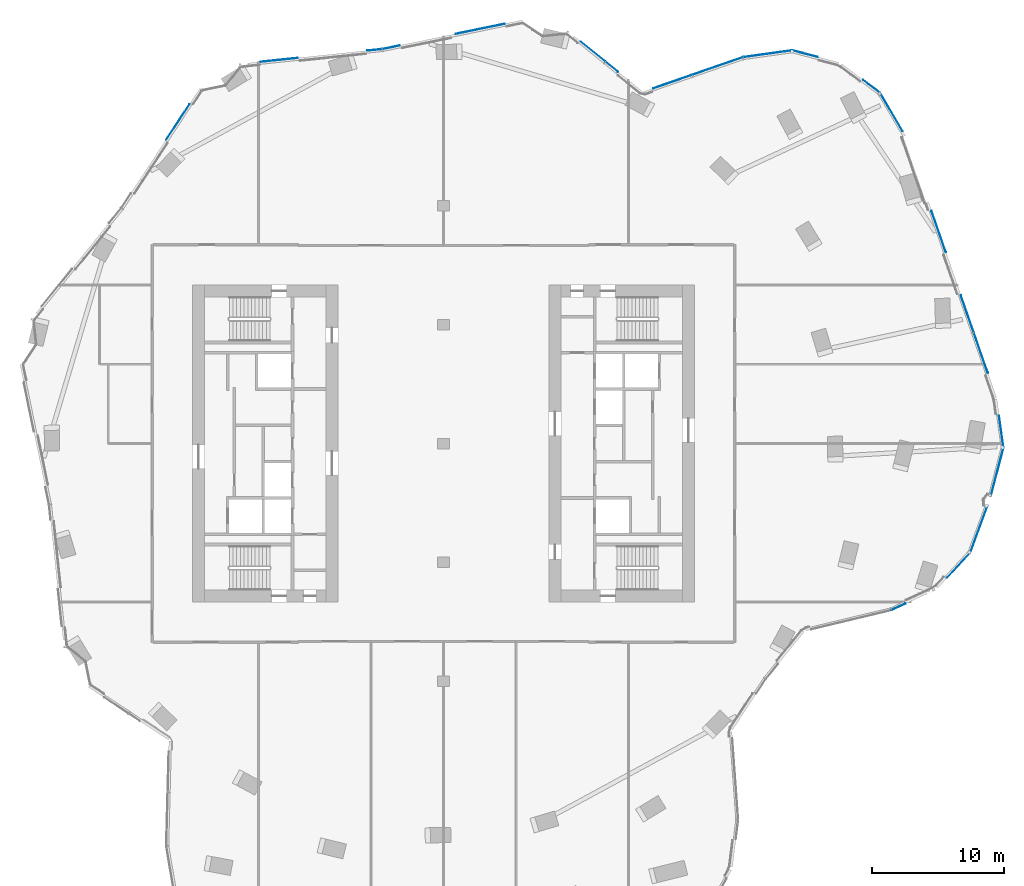
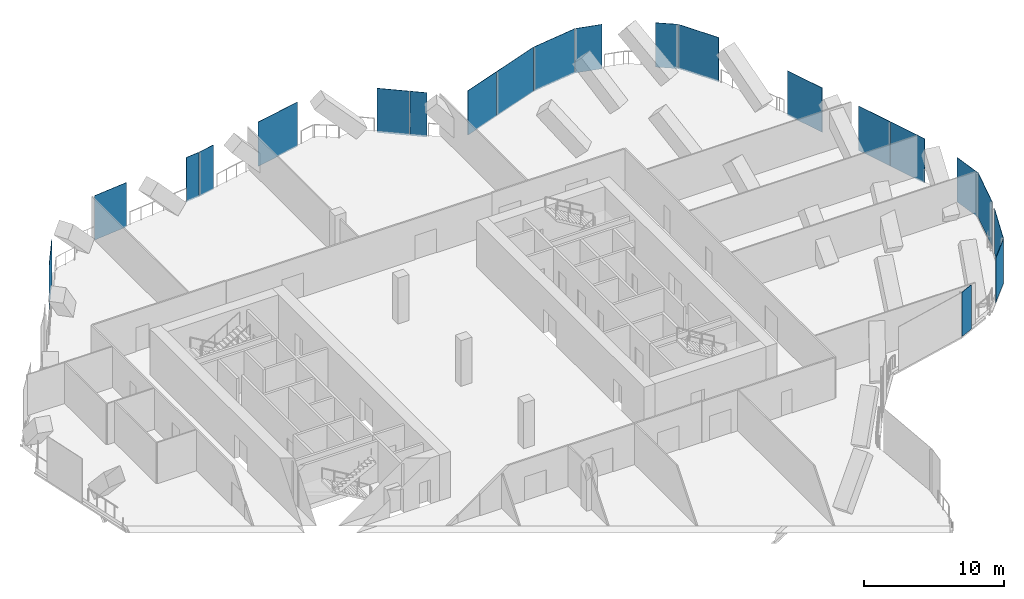
# One storey, part 18 of 26: 21 plates, 15 elements without a shape of their own.
"""IFC4 building model written with IfcOpenShell, lengths in metres."""

from ifc_helpers import new_model, si_unit, direction, frame, origin, origin_2d, place, context, subcontext, project, spatial, rectangle, extrude, material, layer, layer_set, type_object, element, aggregate, save


model = new_model("IFC4")

# Units and contexts
model_context = context("Model", 3, precision=1e-05, world=origin(), true_north=direction((0.0, 1.0)))
body_context = subcontext(model_context, "Body", "Model", "MODEL_VIEW")
ifc_project = project(units=[si_unit("LENGTHUNIT", "METRE"), si_unit("AREAUNIT", "SQUARE_METRE"), si_unit("VOLUMEUNIT", "CUBIC_METRE"), si_unit("PLANEANGLEUNIT", "RADIAN"), si_unit("MASSUNIT", "GRAM", prefix="KILO")], contexts=[model_context])

# Site, building, storey
site_placement = place(None, origin())
site = spatial("IfcSite", under=ifc_project, at=site_placement, CompositionType="ELEMENT")
building_placement = place(site_placement, origin())
building = spatial("IfcBuilding", under=site, at=building_placement, Name="Orlundy Tower", CompositionType="ELEMENT")
storey_placement = place(building_placement, frame((0.0, 0.0, 228.0)))
storey = spatial("IfcBuildingStorey", under=building, at=storey_placement, Name="L60", CompositionType="ELEMENT", Elevation=228.0)

# Curtain wall, plate
ifc_material_1 = material(Name="Aluminium bronze anodised", Category="aluminium")
curtain_wall_type = type_object("IfcCurtainWallType", Name="CW5 wall", PredefinedType="NOTDEFINED", material=ifc_material_1)
curtain_wall_1_placement = place(storey_placement, origin())
curtain_wall_1 = element("IfcCurtainWall", 1, at=curtain_wall_1_placement, inside=storey, type_object=curtain_wall_type, Name="CW5 run 08", PredefinedType="NOTDEFINED")
ifc_material_2 = material(Name="Tinted glass", Category="glass")
ifc_layer_1 = layer(ifc_material_2, 0.031982421875)
ifc_layer_set_1 = layer_set([ifc_layer_1], Name="CW5 glass panel 32")
plate_type_1 = type_object("IfcPlateType", Name="CW5 glass panel 32", PredefinedType="CURTAIN_PANEL", material=ifc_layer_set_1)
plate_1_placement = place(storey_placement, frame((-20.113037109375, 24.347900390625, -0.280029296875), z_axis=(0.0, 0.0, 1.0), x_axis=(0.549520792708, 0.835480040684, 0.0)))
plate_1 = element("IfcPlate", 2, at=plate_1_placement, type_object=plate_type_1, Name="CW5 panel", PredefinedType="CURTAIN_PANEL", context=body_context, shape_type="SweptSolid", body=[
    extrude(rectangle(XDim=3.2197265625, YDim=0.031982421875, at=origin_2d()), origin(), (0.0, 0.0, 1.0), 3.8798828125),
])
aggregate(curtain_wall_1, [plate_1])

# Curtain wall, plates
curtain_wall_2_placement = place(storey_placement, origin())
curtain_wall_2 = element("IfcCurtainWall", 3, at=curtain_wall_2_placement, inside=storey, type_object=curtain_wall_type, Name="CW5 run 011", PredefinedType="NOTDEFINED")
plate_2_placement = place(storey_placement, frame((-12.4296875, 29.0439453125, -0.280029296875), z_axis=(0.0, 0.0, 1.0), x_axis=(0.994524457271, 0.104504085518, 0.0)))
plate_2 = element("IfcPlate", 4, at=plate_2_placement, type_object=plate_type_1, Name="CW5 panel", PredefinedType="CURTAIN_PANEL", context=body_context, shape_type="SweptSolid", body=[
    extrude(rectangle(XDim=2.80908203125, YDim=0.031982421875, at=origin_2d()), origin(), (0.0, 0.0, 1.0), 3.8798828125),
])
plate_3_placement = place(storey_placement, frame((-5.212158203125, 29.802490234375, -0.280029296875), z_axis=(0.0, 0.0, 1.0), x_axis=(0.994524457271, 0.104504085518, 0.0)))
plate_3 = element("IfcPlate", 5, at=plate_3_placement, type_object=plate_type_1, Name="CW5 panel", PredefinedType="CURTAIN_PANEL", context=body_context, shape_type="SweptSolid", body=[
    extrude(rectangle(XDim=1.110107421875, YDim=0.031982421875, at=origin_2d()), origin(), (0.0, 0.0, 1.0), 3.8798828125),
])
aggregate(curtain_wall_2, [plate_2, plate_3])

# Curtain wall, plate
curtain_wall_3_placement = place(storey_placement, origin())
curtain_wall_3 = element("IfcCurtainWall", 6, at=curtain_wall_3_placement, inside=storey, type_object=curtain_wall_type, Name="CW5 run 012", PredefinedType="NOTDEFINED")
plate_4_placement = place(storey_placement, frame((2.767822265625, 31.39208984375, -0.280029296875), z_axis=(0.0, 0.0, 1.0), x_axis=(0.979330427294, 0.20226693792, 0.0)))
plate_4 = element("IfcPlate", 7, at=plate_4_placement, type_object=plate_type_1, Name="CW5 panel", PredefinedType="CURTAIN_PANEL", context=body_context, shape_type="SweptSolid", body=[
    extrude(rectangle(XDim=3.78955078125, YDim=0.031982421875, at=origin_2d()), origin(), (0.0, 0.0, 1.0), 3.8798828125),
])

# Curtain wall, plates
curtain_wall_4_placement = place(storey_placement, origin())
curtain_wall_4 = element("IfcCurtainWall", 8, at=curtain_wall_4_placement, inside=storey, type_object=curtain_wall_type, Name="CW5 run 015", PredefinedType="NOTDEFINED")
plate_5_placement = place(storey_placement, frame((11.316162109375, 29.67578125, -0.280029296875), z_axis=(0.0, 0.0, 1.0), x_axis=(0.777127038991, -0.629343757631, 0.0)))
plate_5 = element("IfcPlate", 9, at=plate_5_placement, type_object=plate_type_1, Name="CW5 panel", PredefinedType="CURTAIN_PANEL", context=body_context, shape_type="SweptSolid", body=[
    extrude(rectangle(XDim=2.369384765625, YDim=0.031982421875, at=origin_2d()), origin(), (0.0, 0.0, 1.0), 3.8798828125),
])
plate_6_placement = place(storey_placement, frame((12.747802734375, 28.516357421875, -0.280029296875), z_axis=(0.0, 0.0, 1.0), x_axis=(0.777127038991, -0.629343757631, 0.0)))
plate_6 = element("IfcPlate", 10, at=plate_6_placement, type_object=plate_type_1, Name="CW5 panel", PredefinedType="CURTAIN_PANEL", context=body_context, shape_type="SweptSolid", body=[
    extrude(rectangle(XDim=1.215087890625, YDim=0.031982421875, at=origin_2d()), origin(), (0.0, 0.0, 1.0), 3.8798828125),
])
aggregate(curtain_wall_4, [plate_5, plate_6])

# Curtain wall, plate
curtain_wall_5_placement = place(storey_placement, origin())
curtain_wall_5 = element("IfcCurtainWall", 11, at=curtain_wall_5_placement, inside=storey, type_object=curtain_wall_type, Name="CW5 run 016", PredefinedType="NOTDEFINED")
plate_7_placement = place(storey_placement, frame((20.7490234375, 28.58056640625, -0.280029296875), z_axis=(0.0, 0.0, 1.0), x_axis=(0.944571671983, 0.328305279409, 0.0)))
plate_7 = element("IfcPlate", 12, at=plate_7_placement, type_object=plate_type_1, Name="CW5 panel", PredefinedType="CURTAIN_PANEL", context=body_context, shape_type="SweptSolid", body=[
    extrude(rectangle(XDim=4.0205078125, YDim=0.031982421875, at=origin_2d()), origin(), (0.0, 0.0, 1.0), 3.8798828125),
])

curtain_wall_6_placement = place(storey_placement, origin())
curtain_wall_6 = element("IfcCurtainWall", 13, at=curtain_wall_6_placement, inside=storey, type_object=curtain_wall_type, Name="CW5 run 017", PredefinedType="NOTDEFINED")
plate_8_placement = place(storey_placement, frame((24.54736328125, 29.509765625, -0.280029296875), z_axis=(0.0, 0.0, 1.0), x_axis=(0.99045548405, 0.137832993566, 0.0)))
plate_8 = element("IfcPlate", 14, at=plate_8_placement, type_object=plate_type_1, Name="CW5 panel", PredefinedType="CURTAIN_PANEL", context=body_context, shape_type="SweptSolid", body=[
    extrude(rectangle(XDim=3.737060546875, YDim=0.031982421875, at=origin_2d()), origin(), (0.0, 0.0, 1.0), 3.8798828125),
])
aggregate(curtain_wall_6, [plate_8])

curtain_wall_7_placement = place(storey_placement, origin())
curtain_wall_7 = element("IfcCurtainWall", 15, at=curtain_wall_7_placement, inside=storey, type_object=curtain_wall_type, Name="CW5 run 019", PredefinedType="NOTDEFINED")
plate_9_placement = place(storey_placement, frame((32.42333984375, 27.025390625, -0.280029296875), z_axis=(0.0, 0.0, 1.0), x_axis=(0.797760617853, -0.602974291826, 0.0)))
plate_9 = element("IfcPlate", 16, at=plate_9_placement, type_object=plate_type_1, Name="CW5 panel", PredefinedType="CURTAIN_PANEL", context=body_context, shape_type="SweptSolid", body=[
    extrude(rectangle(XDim=1.623779296875, YDim=0.031982421875, at=origin_2d()), origin(), (0.0, 0.0, 1.0), 3.8798828125),
])
aggregate(curtain_wall_7, [plate_9])

curtain_wall_8_placement = place(storey_placement, origin())
curtain_wall_8 = element("IfcCurtainWall", 17, at=curtain_wall_8_placement, inside=storey, type_object=curtain_wall_type, Name="CW5 run 020", PredefinedType="NOTDEFINED")
plate_10_placement = place(storey_placement, frame((33.91796875, 25.09375, -0.280029296875), z_axis=(0.0, 0.0, 1.0), x_axis=(0.506418670322, -0.862287730604, 0.0)))
plate_10 = element("IfcPlate", 18, at=plate_10_placement, type_object=plate_type_1, Name="CW5 panel", PredefinedType="CURTAIN_PANEL", context=body_context, shape_type="SweptSolid", body=[
    extrude(rectangle(XDim=3.344482421875, YDim=0.031982421875, at=origin_2d()), origin(), (0.0, 0.0, 1.0), 3.8798828125),
])
aggregate(curtain_wall_8, [plate_10])

# Curtain wall, plates
curtain_wall_9_placement = place(storey_placement, origin())
curtain_wall_9 = element("IfcCurtainWall", 19, at=curtain_wall_9_placement, inside=storey, type_object=curtain_wall_type, Name="CW5 run 021", PredefinedType="NOTDEFINED")
plate_11_placement = place(storey_placement, frame((37.492431640625, 16.052001953125, -0.280029296875), z_axis=(0.0, 0.0, 1.0), x_axis=(0.328287898416, -0.944577712924, 0.0)))
plate_11 = element("IfcPlate", 20, at=plate_11_placement, type_object=plate_type_1, Name="CW5 panel", PredefinedType="CURTAIN_PANEL", context=body_context, shape_type="SweptSolid", body=[
    extrude(rectangle(XDim=3.29833984375, YDim=0.031982421875, at=origin_2d()), origin(), (0.0, 0.0, 1.0), 3.8798828125),
])
plate_12_placement = place(storey_placement, frame((39.655029296875, 9.829345703125, -0.280029296875), z_axis=(0.0, 0.0, 1.0), x_axis=(0.328287898416, -0.944577712924, 0.0)))
plate_12 = element("IfcPlate", 21, at=plate_12_placement, type_object=plate_type_1, Name="CW5 panel", PredefinedType="CURTAIN_PANEL", context=body_context, shape_type="SweptSolid", body=[
    extrude(rectangle(XDim=2.97998046875, YDim=0.031982421875, at=origin_2d()), origin(), (0.0, 0.0, 1.0), 3.8798828125),
])

# Curtain wall, plate
curtain_wall_10_placement = place(storey_placement, origin())
curtain_wall_10 = element("IfcCurtainWall", 22, at=curtain_wall_10_placement, inside=storey, type_object=curtain_wall_type, Name="CW5 run 022", PredefinedType="NOTDEFINED")
plate_13_placement = place(storey_placement, frame((42.23193359375, 0.906005859375, -0.280029296875), z_axis=(0.0, 0.0, 1.0), x_axis=(0.137832993566, -0.99045548405, 0.0)))
plate_13 = element("IfcPlate", 23, at=plate_13_placement, type_object=plate_type_1, Name="CW5 panel", PredefinedType="CURTAIN_PANEL", context=body_context, shape_type="SweptSolid", body=[
    extrude(rectangle(XDim=2.443115234375, YDim=0.031982421875, at=origin_2d()), origin(), (0.0, 0.0, 1.0), 3.8798828125),
])
aggregate(curtain_wall_10, [plate_13])

curtain_wall_11_placement = place(storey_placement, origin())
curtain_wall_11 = element("IfcCurtainWall", 24, at=curtain_wall_11_placement, inside=storey, type_object=curtain_wall_type, Name="CW5 run 023", PredefinedType="NOTDEFINED")
plate_14_placement = place(storey_placement, frame((41.924560546875, -2.1328125, -0.280029296875), z_axis=(0.0, 0.0, 1.0), x_axis=(-0.251729885218, -0.967797533004, 0.0)))
plate_14 = element("IfcPlate", 25, at=plate_14_placement, type_object=plate_type_1, Name="CW5 panel", PredefinedType="CURTAIN_PANEL", context=body_context, shape_type="SweptSolid", body=[
    extrude(rectangle(XDim=3.779541015625, YDim=0.031982421875, at=origin_2d()), origin(), (0.0, 0.0, 1.0), 3.8798828125),
])
aggregate(curtain_wall_11, [plate_14])

curtain_wall_12_placement = place(storey_placement, origin())
curtain_wall_12 = element("IfcCurtainWall", 26, at=curtain_wall_12_placement, inside=storey, type_object=curtain_wall_type, Name="CW5 run 026", PredefinedType="NOTDEFINED")
plate_15_placement = place(storey_placement, frame((40.5361328125, -6.4951171875, -0.280029296875), z_axis=(0.0, 0.0, 1.0), x_axis=(-0.346180462863, -0.938167941859, 0.0)))
plate_15 = element("IfcPlate", 27, at=plate_15_placement, type_object=plate_type_1, Name="CW5 panel", PredefinedType="CURTAIN_PANEL", context=body_context, shape_type="SweptSolid", body=[
    extrude(rectangle(XDim=3.779296875, YDim=0.031982421875, at=origin_2d()), origin(), (0.0, 0.0, 1.0), 3.8798828125),
])
aggregate(curtain_wall_12, [plate_15])

curtain_wall_13_placement = place(storey_placement, origin())
curtain_wall_13 = element("IfcCurtainWall", 28, at=curtain_wall_13_placement, inside=storey, type_object=curtain_wall_type, Name="CW5 run 028", PredefinedType="NOTDEFINED")
plate_16_placement = place(storey_placement, frame((34.44970703125, -12.365478515625, -0.280029296875), z_axis=(0.0, 0.0, 1.0), x_axis=(-0.908117246595, -0.418715973467, 0.0)))
plate_16 = element("IfcPlate", 29, at=plate_16_placement, type_object=plate_type_1, Name="CW5 panel", PredefinedType="CURTAIN_PANEL", context=body_context, shape_type="SweptSolid", body=[
    extrude(rectangle(XDim=1.159423828125, YDim=0.031982421875, at=origin_2d()), origin(), (0.0, 0.0, 1.0), 3.8798828125),
])
aggregate(curtain_wall_13, [plate_16])

# Plate
ifc_material_3 = material(Name="Tinted glass", Category="glass")
ifc_layer_2 = layer(ifc_material_3, 0.031982421875)
ifc_layer_set_2 = layer_set([ifc_layer_2], Name="CW5 vent panel 32")
plate_type_2 = type_object("IfcPlateType", Name="CW5 vent panel 32", PredefinedType="CURTAIN_PANEL", material=ifc_layer_set_2)
plate_17_placement = place(storey_placement, frame((-3.957275390625, 30.003173828125, -0.280029296875), z_axis=(0.0, 0.0, 1.0), x_axis=(0.979330427294, 0.20226693792, 0.0)))
plate_17 = element("IfcPlate", 30, at=plate_17_placement, type_object=plate_type_2, Name="CW5 panel", PredefinedType="CURTAIN_PANEL", context=body_context, shape_type="SweptSolid", body=[
    extrude(rectangle(XDim=1.33447265625, YDim=0.031982421875, at=origin_2d()), origin(), (0.0, 0.0, 1.0), 3.8798828125),
])

aggregate(curtain_wall_3, [plate_17, plate_4])

plate_18_placement = place(storey_placement, frame((17.334716796875, 27.393798828125, -0.280029296875), z_axis=(0.0, 0.0, 1.0), x_axis=(0.944571671983, 0.328305279409, 0.0)))
plate_18 = element("IfcPlate", 31, at=plate_18_placement, type_object=plate_type_2, Name="CW5 panel", PredefinedType="CURTAIN_PANEL", context=body_context, shape_type="SweptSolid", body=[
    extrude(rectangle(XDim=3.10888671875, YDim=0.031982421875, at=origin_2d()), origin(), (0.0, 0.0, 1.0), 3.8798828125),
])

aggregate(curtain_wall_5, [plate_18, plate_7])

# Curtain wall, plate
curtain_wall_14_placement = place(storey_placement, origin())
curtain_wall_14 = element("IfcCurtainWall", 32, at=curtain_wall_14_placement, inside=storey, type_object=curtain_wall_type, Name="CW5 run 018", PredefinedType="NOTDEFINED")
plate_19_placement = place(storey_placement, frame((27.36376953125, 29.515869140625, -0.280029296875), z_axis=(0.0, 0.0, 1.0), x_axis=(0.967731773149, -0.251982569313, 0.0)))
plate_19 = element("IfcPlate", 33, at=plate_19_placement, type_object=plate_type_2, Name="CW5 panel", PredefinedType="CURTAIN_PANEL", context=body_context, shape_type="SweptSolid", body=[
    extrude(rectangle(XDim=1.995849609375, YDim=0.031982421875, at=origin_2d()), origin(), (0.0, 0.0, 1.0), 3.8798828125),
])
aggregate(curtain_wall_14, [plate_19])

# Plate
plate_20_placement = place(storey_placement, frame((40.6875, 6.858642578125, -0.280029296875), z_axis=(0.0, 0.0, 1.0), x_axis=(0.328287898416, -0.944577712924, 0.0)))
plate_20 = element("IfcPlate", 34, at=plate_20_placement, type_object=plate_type_2, Name="CW5 panel", PredefinedType="CURTAIN_PANEL", context=body_context, shape_type="SweptSolid", body=[
    extrude(rectangle(XDim=3.210205078125, YDim=0.031982421875, at=origin_2d()), origin(), (0.0, 0.0, 1.0), 3.8798828125),
])

aggregate(curtain_wall_9, [plate_11, plate_12, plate_20])

# Curtain wall, plate
curtain_wall_15_placement = place(storey_placement, origin())
curtain_wall_15 = element("IfcCurtainWall", 35, at=curtain_wall_15_placement, inside=storey, type_object=curtain_wall_type, Name="CW5 run 027", PredefinedType="NOTDEFINED")
plate_21_placement = place(storey_placement, frame((39.006103515625, -9.215576171875, -0.280029296875), z_axis=(0.0, 0.0, 1.0), x_axis=(-0.678772971258, -0.734348182738, 0.0)))
plate_21 = element("IfcPlate", 36, at=plate_21_placement, type_object=plate_type_2, Name="CW5 panel", PredefinedType="CURTAIN_PANEL", context=body_context, shape_type="SweptSolid", body=[
    extrude(rectangle(XDim=2.580810546875, YDim=0.031982421875, at=origin_2d()), origin(), (0.0, 0.0, 1.0), 3.8798828125),
])
aggregate(curtain_wall_15, [plate_21])

save(model, "model.ifc")
